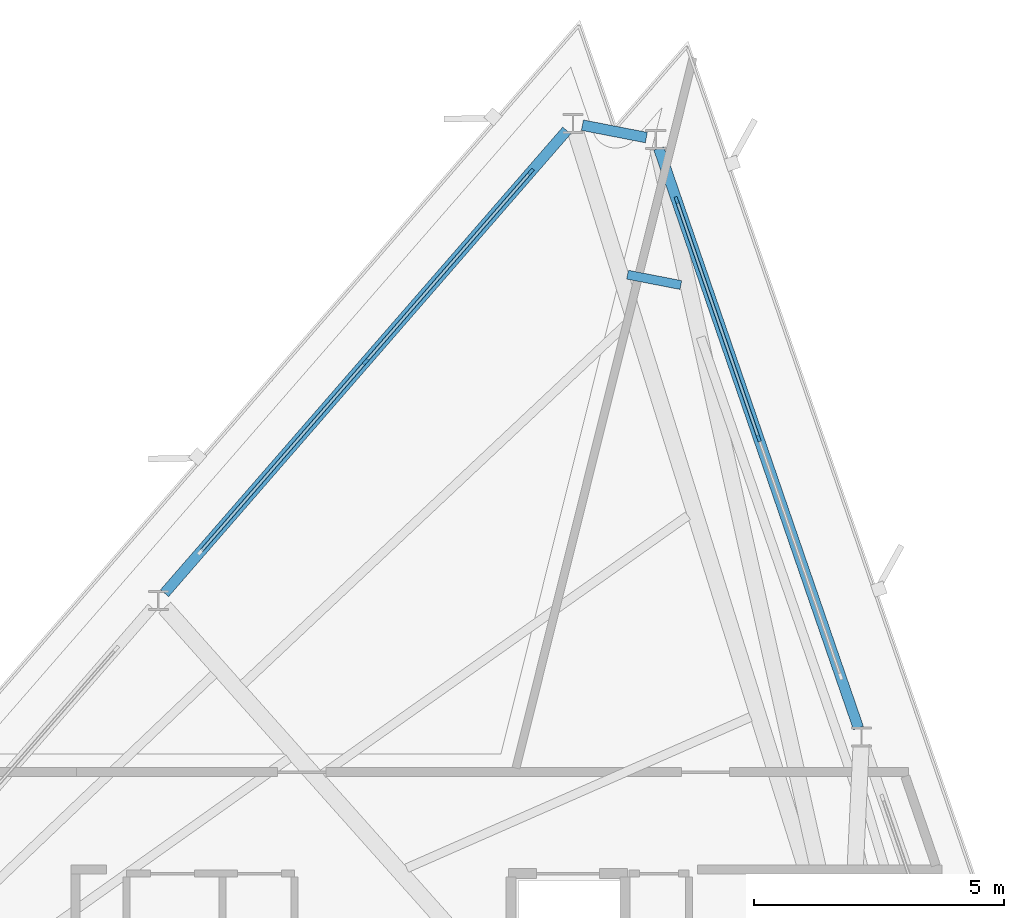
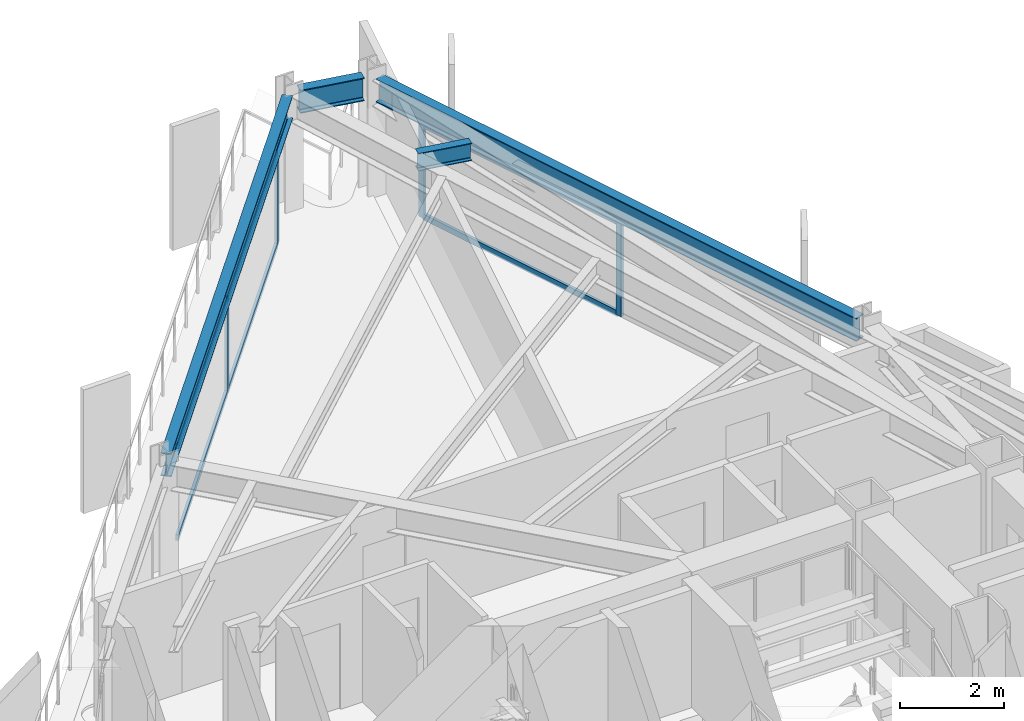
# One storey, part 7 of 13: 10 members, 4 beams, 2 elements without a shape of their own.
"""IFC4 building model written with IfcOpenShell, lengths in metres."""

import ifcopenshell
import ifcopenshell.guid

model = None  # the IFC model being written
_history = None  # IfcOwnerHistory: only IFC2X3 demands one
_inside = {}  # id of a spatial element -> (the spatial element, [elements in it])
_under = {}  # id of a project, library or spatial element -> (it, [spatial elements below it])
_declared = {}  # id of a project -> (the project, [libraries it declares])
_typed = {}  # id of a type object -> (the type object, [elements of that type])
_made_of = {}  # id of a material, layer set ... -> (it, [elements and type objects made of it])


def new_model(schema):
    """Start an empty IFC model of exactly this schema.

    Asked for "IFC4X3", IfcOpenShell would pick the latest addendum, in which some entities
    have other attributes; the version numbers below select the first issue.
    IFC2X3 requires an IfcOwnerHistory on every rooted entity: one is made here for all.
    """
    global model, _history
    if schema == "IFC4X3":
        model = ifcopenshell.file(schema_version=(4, 3, 0, 0))
    else:
        model = ifcopenshell.file(schema=schema)
    _inside.clear()
    _under.clear()
    _declared.clear()
    _typed.clear()
    _made_of.clear()
    _history = None
    if model.schema == "IFC2X3":
        org = make("IfcOrganization", Name="unknown")
        user = make(
            "IfcPersonAndOrganization",
            ThePerson=make("IfcPerson", FamilyName="unknown"),
            TheOrganization=org,
        )
        app = make(
            "IfcApplication",
            ApplicationDeveloper=org,
            Version="unknown",
            ApplicationFullName="unknown",
            ApplicationIdentifier="unknown",
        )
        _history = make(
            "IfcOwnerHistory",
            OwningUser=user,
            OwningApplication=app,
            ChangeAction="ADDED",
            CreationDate=0,
        )
    return model


def make(cls, **values):
    """One entity of the class cls with the attributes given. An attribute that is None is left unset."""
    return model.create_entity(
        cls, **{name: value for name, value in values.items() if value is not None}
    )


def rooted(cls, **values):
    """An entity with a GlobalId (a new one), such as an element, a storey or a relation."""
    return make(cls, GlobalId=ifcopenshell.guid.new(), OwnerHistory=_history, **values)


def si_unit(unit_type, name, prefix=None):
    """IfcSIUnit, for example si_unit("LENGTHUNIT", "METRE", prefix="MILLI")."""
    return make("IfcSIUnit", UnitType=unit_type, Prefix=prefix, Name=name)


def assignment(units):
    """IfcUnitAssignment: the units of a project."""
    return None if units is None else make("IfcUnitAssignment", Units=units)


def point(xyz):
    """IfcCartesianPoint."""
    return None if xyz is None else make("IfcCartesianPoint", Coordinates=xyz)


def direction(xyz):
    """IfcDirection."""
    return None if xyz is None else make("IfcDirection", DirectionRatios=xyz)


def frame(location, z_axis=None, x_axis=None):
    """IfcAxis2Placement3D, a coordinate frame: its origin and axes. An axis left out is left unset."""
    return make(
        "IfcAxis2Placement3D",
        Location=point(location),
        Axis=direction(z_axis),
        RefDirection=direction(x_axis),
    )


def frame_2d(location, x_axis=None):
    """IfcAxis2Placement2D, a coordinate frame in the plane: its origin and x axis."""
    return make(
        "IfcAxis2Placement2D", Location=point(location), RefDirection=direction(x_axis)
    )


def origin():
    """The frame at (0, 0, 0) with its axes left unset."""
    return frame((0.0, 0.0, 0.0))


def origin_2d():
    """The frame at (0, 0) in the plane with its x axis left unset."""
    return frame_2d((0.0, 0.0))


def place(relative_to, where):
    """IfcLocalPlacement: puts the frame where relative to a parent placement (None: the world)."""
    return make(
        "IfcLocalPlacement", PlacementRelTo=relative_to, RelativePlacement=where
    )


def context(
    kind, dimensions, precision=None, world=None, true_north=None, identifier=None
):
    """IfcGeometricRepresentationContext, for example the 3D "Model" context."""
    return make(
        "IfcGeometricRepresentationContext",
        ContextIdentifier=identifier,
        ContextType=kind,
        CoordinateSpaceDimension=dimensions,
        Precision=precision,
        WorldCoordinateSystem=world,
        TrueNorth=true_north,
    )


def subcontext(parent, identifier, kind, view, scale=None):
    """IfcGeometricRepresentationSubContext, for example "Body" below "Model"."""
    return make(
        "IfcGeometricRepresentationSubContext",
        ContextIdentifier=identifier,
        ContextType=kind,
        ParentContext=parent,
        TargetScale=scale,
        TargetView=view,
    )


def project(units=None, contexts=None):
    """IfcProject with its units and contexts."""
    return rooted(
        "IfcProject",
        Name="project",
        RepresentationContexts=contexts,
        UnitsInContext=assignment(units),
    )


def spatial(cls, under=None, at=None, **own):
    """A site, building, storey or space (cls), placed at a placement, below another one or the project."""
    s = rooted(cls, ObjectPlacement=at, **own)
    if under is not None:
        _under.setdefault(under.id(), (under, []))[1].append(s)
    return s


def profile(cls, at=None, kind="AREA", **sizes):
    """A parametric profile (cls). Its sizes go by their IFC names, for example OverallWidth=200.0."""
    return make(cls, ProfileType=kind, Position=at, **sizes)


def rectangle(**sizes):
    """IfcRectangleProfileDef."""
    return profile("IfcRectangleProfileDef", **sizes)


def i_section(**sizes):
    """IfcIShapeProfileDef."""
    return profile("IfcIShapeProfileDef", **sizes)


def extrude(swept, where, along, depth):
    """IfcExtrudedAreaSolid: the profile swept, set in the frame where, extruded along a direction by depth."""
    return make(
        "IfcExtrudedAreaSolid",
        SweptArea=swept,
        Position=where,
        ExtrudedDirection=direction(along),
        Depth=depth,
    )


def shape(context_of_items, identifier, shape_type, items):
    """IfcShapeRepresentation: the items that make up one representation, for example the "Body"."""
    return make(
        "IfcShapeRepresentation",
        ContextOfItems=context_of_items,
        RepresentationIdentifier=identifier,
        RepresentationType=shape_type,
        Items=items,
    )


def material(Name=None, Category=None):
    """IfcMaterial."""
    return make("IfcMaterial", Name=Name, Category=Category)


def layer(
    of_material, thickness, ventilated=None, Name=None, Category=None, Priority=None
):
    """IfcMaterialLayer: one layer of a wall or slab, of a material (None: an air gap)."""
    return make(
        "IfcMaterialLayer",
        Material=of_material,
        LayerThickness=thickness,
        IsVentilated=ventilated,
        Name=Name,
        Category=Category,
        Priority=Priority,
    )


def layer_set(layers, Name=None):
    """IfcMaterialLayerSet."""
    return make("IfcMaterialLayerSet", MaterialLayers=layers, LayerSetName=Name)


def material_profile(
    of_material, cross_section, Name=None, Category=None, Priority=None
):
    """IfcMaterialProfile: a cross section and its material."""
    return make(
        "IfcMaterialProfile",
        Name=Name,
        Material=of_material,
        Profile=cross_section,
        Priority=Priority,
        Category=Category,
    )


def profile_set(profiles, Name=None, composite=None):
    """IfcMaterialProfileSet."""
    return make(
        "IfcMaterialProfileSet",
        Name=Name,
        MaterialProfiles=profiles,
        CompositeProfile=composite,
    )


def made_of(thing, what):
    """Note that an element or type object is made of a material, layer set ...; save() writes the relation."""
    if what is not None:
        _made_of.setdefault(what.id(), (what, []))[1].append(thing)
    return thing


def type_object(cls, material=None, **own):
    """A type object (cls), such as IfcWallType, which elements share."""
    return made_of(rooted(cls, **own), material)


def element(
    cls,
    number,
    at=None,
    inside=None,
    cuts=None,
    type_object=None,
    material=None,
    context=None,
    identifier="Body",
    shape_type=None,
    held_by="IfcProductDefinitionShape",
    body=None,
    shapes=None,
    **own,
):
    """One element of the class cls, such as IfcWall. Its Tag is "e" and its number.

    at: its placement. inside: the storey or other place that contains it. cuts: it is an
    opening in that element (IfcRelVoidsElement). A single representation is given by context,
    identifier, shape_type and body (its items); several are given by shapes. held_by: the class
    of the entity that holds the representations. save() writes the other relations.
    """
    e = rooted(cls, Tag="e%d" % number, ObjectPlacement=at, **own)
    if body is not None:
        shapes = [shape(context, identifier, shape_type, body)]
    if shapes is not None:
        e.Representation = make(held_by, Representations=shapes)
    if inside is not None:
        _inside.setdefault(inside.id(), (inside, []))[1].append(e)
    if cuts is not None:
        rooted(
            "IfcRelVoidsElement", RelatingBuildingElement=cuts, RelatedOpeningElement=e
        )
    if type_object is not None:
        _typed.setdefault(type_object.id(), (type_object, []))[1].append(e)
    return made_of(e, material)


def aggregate(whole, parts):
    """IfcRelAggregates: a whole, such as a stair, and the parts it consists of."""
    return rooted("IfcRelAggregates", RelatingObject=whole, RelatedObjects=parts)


def save(model, path):
    """Write the relations noted so far, then the file.

    IfcRelAggregates (storeys below a building ...), IfcRelContainedInSpatialStructure (elements
    in a storey), IfcRelDefinesByType, IfcRelAssociatesMaterial and IfcRelDeclares: one each for
    every whole, place, type object, material and project.
    """
    for whole, parts in _under.values():
        aggregate(whole, parts)
    for where, things in _inside.values():
        rooted(
            "IfcRelContainedInSpatialStructure",
            RelatedElements=things,
            RelatingStructure=where,
        )
    for kind, things in _typed.values():
        rooted("IfcRelDefinesByType", RelatedObjects=things, RelatingType=kind)
    for what, things in _made_of.values():
        rooted("IfcRelAssociatesMaterial", RelatedObjects=things, RelatingMaterial=what)
    for by, libraries in _declared.values():
        rooted("IfcRelDeclares", RelatingContext=by, RelatedDefinitions=libraries)
    model.write(path)


model = new_model("IFC4")

# Units and contexts
model_context = context("Model", 3, precision=1e-05, world=origin(), true_north=direction((0.0, 1.0)))
body_context = subcontext(model_context, "Body", "Model", "MODEL_VIEW")
ifc_project = project(units=[si_unit("LENGTHUNIT", "METRE"), si_unit("AREAUNIT", "SQUARE_METRE"), si_unit("VOLUMEUNIT", "CUBIC_METRE"), si_unit("PLANEANGLEUNIT", "RADIAN"), si_unit("MASSUNIT", "GRAM", prefix="KILO")], contexts=[model_context])

# Site, building, storey
site_placement = place(None, origin())
site = spatial("IfcSite", under=ifc_project, at=site_placement, CompositionType="ELEMENT")
building_placement = place(site_placement, origin())
building = spatial("IfcBuilding", under=site, at=building_placement, Name="Rocaltana Carrier Exchange", CompositionType="ELEMENT")
storey_placement = place(building_placement, frame((0.0, 0.0, 153.280029296875)))
storey = spatial("IfcBuildingStorey", under=building, at=storey_placement, Name="L48", CompositionType="ELEMENT", Elevation=153.280029296875)

# Curtain wall, members
ifc_material_1 = material(Name="Aluminium 6063-T6", Category="aluminium")
ifc_layer = layer(ifc_material_1, 0.135009765625)
ifc_layer_set = layer_set([ifc_layer], Name="Aluminium 6063-T6")
curtain_wall_type = type_object("IfcCurtainWallType", Name="Upper-Mid Acoustic Curtain Wall CW-04", PredefinedType="NOTDEFINED", material=ifc_layer_set)
curtain_wall_1_placement = place(storey_placement, origin())
curtain_wall_1 = element("IfcCurtainWall", 1, at=curtain_wall_1_placement, inside=storey, type_object=curtain_wall_type, Name="L48 CW-04 Run CW-L48-F1S3", PredefinedType="NOTDEFINED")
ifc_material_2 = material(Name="Aluminium 6063-T6", Category="aluminium")
ifc_material_profile_1 = material_profile(ifc_material_2, rectangle(XDim=0.06494140625, YDim=0.135009765625, at=origin_2d()), Name="AL-65X135")
ifc_profile_set_1 = profile_set([ifc_material_profile_1], Name="Aluminium 6063-T6")
member_type_1 = type_object("IfcMemberType", Name="CW-04 Mullion AL-65X135", PredefinedType="MULLION", material=ifc_profile_set_1)
member_1_placement = place(storey_placement, frame((7.151611328125, 15.82373046875, 0.0), z_axis=(0.0, 0.0, 1.0), x_axis=(-0.945521800517, -0.325558788464, 0.0)))
member_1 = element("IfcMember", 2, at=member_1_placement, type_object=member_type_1, Name="CW-04 mullion 2", PredefinedType="MULLION", context=body_context, shape_type="SweptSolid", body=[
    extrude(rectangle(XDim=0.06494140625, YDim=0.135009765625, at=origin_2d()), origin(), (0.0, 0.0, 1.0), 2.218017578125),
])
member_2_placement = place(storey_placement, frame((5.5126953125, 20.583740234375, 0.0), z_axis=(0.0, 0.0, 1.0), x_axis=(-0.945521800517, -0.325558788464, 0.0)))
member_2 = element("IfcMember", 3, at=member_2_placement, type_object=member_type_1, Name="CW-04 mullion 3", PredefinedType="MULLION", context=body_context, shape_type="SweptSolid", body=[
    extrude(rectangle(XDim=0.06494140625, YDim=0.135009765625, at=origin_2d()), origin(), (0.0, 0.0, 1.0), 2.218017578125),
])

curtain_wall_2_placement = place(storey_placement, origin())
curtain_wall_2 = element("IfcCurtainWall", 4, at=curtain_wall_2_placement, inside=storey, type_object=curtain_wall_type, Name="L48 CW-04 Run CW-L48-F2S1", PredefinedType="NOTDEFINED")
member_3_placement = place(storey_placement, frame((2.599609375, 21.14990234375, 0.0), z_axis=(0.0, 0.0, 1.0), x_axis=(0.75471173919, -0.656056545375, 0.0)))
member_3 = element("IfcMember", 5, at=member_3_placement, type_object=member_type_1, Name="CW-04 mullion 1", PredefinedType="MULLION", context=body_context, shape_type="SweptSolid", body=[
    extrude(rectangle(XDim=0.06494140625, YDim=0.135009765625, at=origin_2d()), origin(), (0.0, 0.0, 1.0), 2.218017578125),
])
member_4_placement = place(storey_placement, frame((-0.703125, 17.3505859375, 0.0), z_axis=(0.0, 0.0, 1.0), x_axis=(0.75471173919, -0.656056545375, 0.0)))
member_4 = element("IfcMember", 6, at=member_4_placement, type_object=member_type_1, Name="CW-04 mullion 2", PredefinedType="MULLION", context=body_context, shape_type="SweptSolid", body=[
    extrude(rectangle(XDim=0.06494140625, YDim=0.135009765625, at=origin_2d()), origin(), (0.0, 0.0, 1.0), 2.218017578125),
])

# Member
ifc_material_3 = material(Name="Aluminium 6063-T6", Category="aluminium")
ifc_material_profile_2 = material_profile(ifc_material_3, rectangle(XDim=0.06494140625, YDim=0.135009765625, at=origin_2d()), Name="AL-65X135")
ifc_profile_set_2 = profile_set([ifc_material_profile_2], Name="Aluminium 6063-T6")
member_type_2 = type_object("IfcMemberType", Name="CW-04 Transom AL-65X135", PredefinedType="USERDEFINED", material=ifc_profile_set_2)
member_5_placement = place(storey_placement, frame((7.140869140625, 15.8544921875, 0.032470703125), z_axis=(-0.325542462737, 0.945527421578, 0.0), x_axis=(-0.945527421578, -0.325542462737, 0.0)))
member_5 = element("IfcMember", 7, at=member_5_placement, type_object=member_type_2, Name="CW-04 transom 2.1", ObjectType="TRANSOM", PredefinedType="USERDEFINED", context=body_context, shape_type="SweptSolid", body=[
    extrude(rectangle(XDim=0.06494140625, YDim=0.135009765625, at=origin_2d()), origin(), (0.0, 0.0, 1.0), 4.96923828125),
])

member_6_placement = place(storey_placement, frame((7.140869140625, 15.8544921875, 2.185546875), z_axis=(-0.325542462737, 0.945527421578, 0.0), x_axis=(-0.945527421578, -0.325542462737, 0.0)))
member_6 = element("IfcMember", 8, at=member_6_placement, type_object=member_type_2, Name="CW-04 transom 2.2", ObjectType="TRANSOM", PredefinedType="USERDEFINED", context=body_context, shape_type="SweptSolid", body=[
    extrude(rectangle(XDim=0.06494140625, YDim=0.135009765625, at=origin_2d()), origin(), (0.0, 0.0, 1.0), 4.96923828125),
])

aggregate(curtain_wall_1, [member_1, member_2, member_5, member_6])

member_7_placement = place(storey_placement, frame((2.578369140625, 21.125244140625, 0.032470703125), z_axis=(-0.656083834105, -0.75468801675, 0.0), x_axis=(0.75468801675, -0.656083834105, 0.0)))
member_7 = element("IfcMember", 9, at=member_7_placement, type_object=member_type_2, Name="CW-04 transom 1.1", ObjectType="TRANSOM", PredefinedType="USERDEFINED", context=body_context, shape_type="SweptSolid", body=[
    extrude(rectangle(XDim=0.06494140625, YDim=0.135009765625, at=origin_2d()), origin(), (0.0, 0.0, 1.0), 4.96923828125),
])

member_8_placement = place(storey_placement, frame((2.578369140625, 21.125244140625, 2.185546875), z_axis=(-0.656083834105, -0.75468801675, 0.0), x_axis=(0.75468801675, -0.656083834105, 0.0)))
member_8 = element("IfcMember", 10, at=member_8_placement, type_object=member_type_2, Name="CW-04 transom 1.2", ObjectType="TRANSOM", PredefinedType="USERDEFINED", context=body_context, shape_type="SweptSolid", body=[
    extrude(rectangle(XDim=0.06494140625, YDim=0.135009765625, at=origin_2d()), origin(), (0.0, 0.0, 1.0), 4.96923828125),
])

member_9_placement = place(storey_placement, frame((-0.724365234375, 17.325927734375, 0.032470703125), z_axis=(-0.656055850486, -0.754712343243, 0.0), x_axis=(0.754712343243, -0.656055850486, 0.0)))
member_9 = element("IfcMember", 11, at=member_9_placement, type_object=member_type_2, Name="CW-04 transom 2.1", ObjectType="TRANSOM", PredefinedType="USERDEFINED", context=body_context, shape_type="SweptSolid", body=[
    extrude(rectangle(XDim=0.06494140625, YDim=0.135009765625, at=origin_2d()), origin(), (0.0, 0.0, 1.0), 4.968994140625),
])

member_10_placement = place(storey_placement, frame((-0.724365234375, 17.325927734375, 2.185546875), z_axis=(-0.656055850486, -0.754712343243, 0.0), x_axis=(0.754712343243, -0.656055850486, 0.0)))
member_10 = element("IfcMember", 12, at=member_10_placement, type_object=member_type_2, Name="CW-04 transom 2.2", ObjectType="TRANSOM", PredefinedType="USERDEFINED", context=body_context, shape_type="SweptSolid", body=[
    extrude(rectangle(XDim=0.06494140625, YDim=0.135009765625, at=origin_2d()), origin(), (0.0, 0.0, 1.0), 4.968994140625),
])

aggregate(curtain_wall_2, [member_3, member_4, member_7, member_8, member_9, member_10])

# Beams
ifc_material_4 = material(Name="Steel S355", Category="steel")
ifc_material_profile_3 = material_profile(ifc_material_4, i_section(OverallWidth=0.179931640625, OverallDepth=0.4130859375, WebThickness=0.009765625, FlangeThickness=0.01611328125, FilletRadius=0.012939453125, at=origin_2d()), Name="W16X50")
ifc_profile_set_3 = profile_set([ifc_material_profile_3], Name="Steel S355")
beam_type_1 = type_object("IfcBeamType", Name="Floor Joist W16X50", PredefinedType="JOIST", material=ifc_profile_set_3)
beam_1_placement = place(storey_placement, frame((5.59716796875, 18.8857421875, 2.58154296875), z_axis=(-0.981629422322, 0.190797477004, 0.0), x_axis=(-0.190797477004, -0.981629422322, 0.0)))
element("IfcBeam", 13, at=beam_1_placement, inside=storey, type_object=beam_type_1, Name="FJ-L48-04-3", PredefinedType="JOIST", context=body_context, shape_type="SweptSolid", body=[
    extrude(i_section(OverallWidth=0.179931640625, OverallDepth=0.4130859375, WebThickness=0.009765625, FlangeThickness=0.01611328125, FilletRadius=0.012939453125, at=origin_2d()), origin(), (0.0, 0.0, 1.0), 1.08642578125),
])
ifc_material_5 = material(Name="Steel S355", Category="steel")
ifc_material_profile_4 = material_profile(ifc_material_5, i_section(OverallWidth=0.2119140625, OverallDepth=0.5439453125, WebThickness=0.01318359375, FlangeThickness=0.021240234375, FilletRadius=0.014892578125, at=origin_2d()), Name="W21X83")
ifc_profile_set_4 = profile_set([ifc_material_profile_4], Name="Steel S355")
beam_type_2 = type_object("IfcBeamType", Name="Spandrel Edge Beam W21X83", PredefinedType="SPANDREL", material=ifc_profile_set_4)
beam_2_placement = place(storey_placement, frame((9.145751953125, 10.0322265625, 2.515869140625), z_axis=(-0.32558099518, 0.945514154086, 0.0), x_axis=(-0.945514154086, -0.32558099518, 0.0)))
element("IfcBeam", 14, at=beam_2_placement, inside=storey, type_object=beam_type_2, Name="SP-L48-03", PredefinedType="SPANDREL", context=body_context, shape_type="SweptSolid", body=[
    extrude(i_section(OverallWidth=0.2119140625, OverallDepth=0.5439453125, WebThickness=0.01318359375, FlangeThickness=0.021240234375, FilletRadius=0.014892578125, at=origin_2d()), origin(), (0.0, 0.0, 1.0), 12.25048828125),
])
beam_3_placement = place(storey_placement, frame((4.906982421875, 21.832763671875, 2.515869140625), z_axis=(-0.981612461895, 0.190884715608, 0.0), x_axis=(-0.190884715608, -0.981612461895, 0.0)))
element("IfcBeam", 15, at=beam_3_placement, inside=storey, type_object=beam_type_2, Name="SP-L48-04", PredefinedType="SPANDREL", context=body_context, shape_type="SweptSolid", body=[
    extrude(i_section(OverallWidth=0.2119140625, OverallDepth=0.5439453125, WebThickness=0.01318359375, FlangeThickness=0.021240234375, FilletRadius=0.014892578125, at=origin_2d()), origin(), (0.0, 0.0, 1.0), 1.302001953125),
])
beam_4_placement = place(storey_placement, frame((3.3154296875, 21.973388671875, 2.515869140625), z_axis=(-0.65606029169, -0.754708482573, 0.0), x_axis=(0.754708482573, -0.65606029169, 0.0)))
element("IfcBeam", 16, at=beam_4_placement, inside=storey, type_object=beam_type_2, Name="SP-L48-05", PredefinedType="SPANDREL", context=body_context, shape_type="SweptSolid", body=[
    extrude(i_section(OverallWidth=0.2119140625, OverallDepth=0.5439453125, WebThickness=0.01318359375, FlangeThickness=0.021240234375, FilletRadius=0.014892578125, at=origin_2d()), origin(), (0.0, 0.0, 1.0), 12.25048828125),
])

save(model, "model.ifc")
